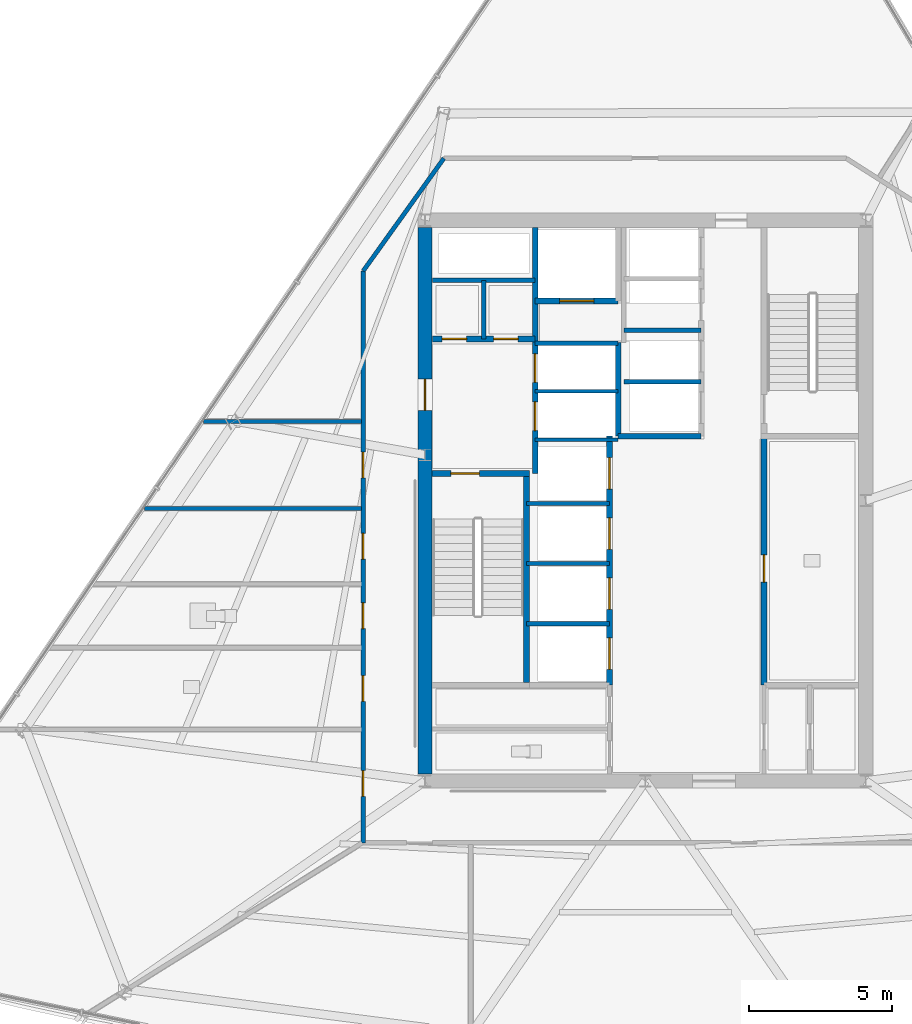
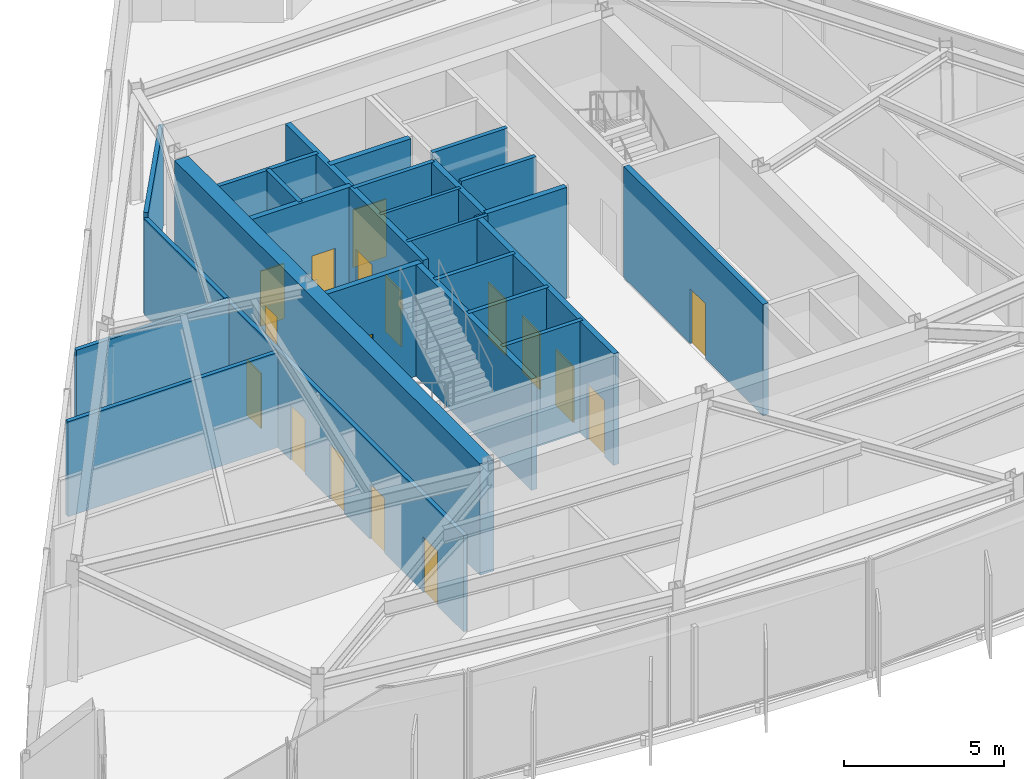
# One storey, part 7 of 14: 24 walls, 17 doors, 17 openings.
"""IFC4 building model written with IfcOpenShell, lengths in metres."""

from ifc_helpers import new_model, si_unit, direction, frame, frame_2d, origin, place, context, subcontext, project, spatial, rectangle, extrude, material, layer, layer_set, type_object, element, fill, save


model = new_model("IFC4")

# Units and contexts
model_context = context("Model", 3, precision=1e-05, world=origin(), true_north=direction((0.0, 1.0)))
body_context = subcontext(model_context, "Body", "Model", "MODEL_VIEW")
ifc_project = project(units=[si_unit("LENGTHUNIT", "METRE"), si_unit("AREAUNIT", "SQUARE_METRE"), si_unit("VOLUMEUNIT", "CUBIC_METRE"), si_unit("PLANEANGLEUNIT", "RADIAN"), si_unit("MASSUNIT", "GRAM", prefix="KILO")], contexts=[model_context])

# Site, building, storey
site_placement = place(None, origin())
site = spatial("IfcSite", under=ifc_project, at=site_placement, CompositionType="ELEMENT")
building_placement = place(site_placement, origin())
building = spatial("IfcBuilding", under=site, at=building_placement, Name="Savorim Split Tower", CompositionType="ELEMENT")
storey_placement = place(building_placement, frame((0.0, 0.0, 134.10009765625)))
storey = spatial("IfcBuildingStorey", under=building, at=storey_placement, Name="L35", CompositionType="ELEMENT", Elevation=134.10009765625)

# Wall, opening, door
ifc_material_1 = material(Name="Concrete C60/75", Category="concrete")
ifc_layer_1 = layer(ifc_material_1, 0.5)
ifc_layer_set_1 = layer_set([ifc_layer_1], Name="WAL-COR-SH500")
wall_type_1 = type_object("IfcWallType", Name="WAL-COR-SH500", PredefinedType="SHEAR", material=ifc_layer_set_1)
wall_1_placement = place(storey_placement, frame((-7.699951171875, -9.14990234375, 0.0), z_axis=(0.0, 0.0, 1.0), x_axis=(0.0, 1.0, 0.0)))
wall_1 = element("IfcWall", 1, at=wall_1_placement, inside=storey, type_object=wall_type_1, Name="L35 Offset Core West Shear Wall", PredefinedType="SHEAR", context=body_context, shape_type="SweptSolid", body=[
    extrude(rectangle(XDim=19.099853515625, YDim=0.5, at=frame_2d((9.5498046875, 0.0))), origin(), (0.0, 0.0, 1.0), 4.25),
])
opening_1_placement = place(wall_1_placement, frame((12.699951171875, 0.0, 0.0)))
opening_1 = element("IfcOpeningElement", 2, at=opening_1_placement, cuts=wall_1, Name="Opening DI-03", PredefinedType="OPENING", context=body_context, shape_type="SweptSolid", body=[
    extrude(rectangle(XDim=1.10009765625, YDim=2.14990234375, at=frame_2d((0.550048828125, 1.074951171875))), frame((0.0, 0.260009765625, 0.0), z_axis=(0.0, -1.0, 0.0), x_axis=(1.0, 0.0, 0.0)), (0.0, 0.0, 1.0), 0.52001953125),
])
ifc_material_2 = material(Name="Timber Fire Door Leaf", Category="wood")
door_type_1 = type_object("IfcDoorType", Name="DOR-FIR-1100", OperationType="NOTDEFINED", PredefinedType="DOOR", material=ifc_material_2)
door_1_placement = place(opening_1_placement, origin())
door_1 = element("IfcDoor", 3, at=door_1_placement, inside=storey, type_object=door_type_1, Name="DOR-L35-COR-FFLOB - L35 Firefighting Lobby Corridor Door", OperationType="SINGLE_SWING_LEFT", OverallHeight=2.14990234375, OverallWidth=1.10009765625, PredefinedType="DOOR", context=body_context, shape_type="SweptSolid", body=[
    extrude(rectangle(XDim=1.10009765625, YDim=2.14990234375, at=frame_2d((0.550048828125, 1.074951171875))), frame((0.0, 0.02490234375, 0.0), z_axis=(0.0, -1.0, 0.0), x_axis=(1.0, 0.0, 0.0)), (0.0, 0.0, 1.0), 0.050048828125),
])
fill(opening_1, door_1)

ifc_material_3 = material(Name="Concrete C50/60", Category="concrete")
ifc_layer_2 = layer(ifc_material_3, 0.199951171875)
ifc_layer_set_2 = layer_set([ifc_layer_2], Name="WAL-INT-RC200")
wall_type_2 = type_object("IfcWallType", Name="WAL-INT-RC200", PredefinedType="SOLIDWALL", material=ifc_layer_set_2)
wall_2_placement = place(storey_placement, frame((-7.449951171875, 1.35009765625, 0.0), z_axis=(0.0, 0.0, 1.0), x_axis=(1.0, 0.0, 0.0)))
wall_2 = element("IfcWall", 4, at=wall_2_placement, inside=storey, type_object=wall_type_2, Name="L35 Structural Shaft Wall W-L35-CR01", PredefinedType="SOLIDWALL", context=body_context, shape_type="SweptSolid", body=[
    extrude(rectangle(XDim=3.39990234375, YDim=0.199951171875, at=frame_2d((1.699951171875, 0.0))), origin(), (0.0, 0.0, 1.0), 4.25),
])
opening_2_placement = place(wall_2_placement, frame((0.64990234375, 0.0, 0.0)))
opening_2 = element("IfcOpeningElement", 5, at=opening_2_placement, cuts=wall_2, Name="Opening DI-04", PredefinedType="OPENING", context=body_context, shape_type="SweptSolid", body=[
    extrude(rectangle(XDim=1.0, YDim=2.14990234375, at=frame_2d((0.5, 1.074951171875))), frame((0.0, 0.10986328125, 0.0), z_axis=(0.0, -1.0, 0.0), x_axis=(1.0, 0.0, 0.0)), (0.0, 0.0, 1.0), 0.219970703125),
])
door_type_2 = type_object("IfcDoorType", Name="DOR-FIR-1000", OperationType="NOTDEFINED", PredefinedType="DOOR", material=ifc_material_2)
door_2_placement = place(opening_2_placement, origin())
door_2 = element("IfcDoor", 6, at=door_2_placement, inside=storey, type_object=door_type_2, Name="DR-L35-ST1 - L35 Stair ST-1 Enclosure Door", OperationType="SINGLE_SWING_LEFT", OverallHeight=2.14990234375, OverallWidth=1.0, PredefinedType="DOOR", context=body_context, shape_type="SweptSolid", body=[
    extrude(rectangle(XDim=1.0, YDim=2.14990234375, at=frame_2d((0.5, 1.074951171875))), frame((0.0, 0.02490234375, 0.0), z_axis=(0.0, -1.0, 0.0), x_axis=(1.0, 0.0, 0.0)), (0.0, 0.0, 1.0), 0.050048828125),
])
fill(opening_2, door_2)

# Wall
wall_3_placement = place(storey_placement, frame((-4.14990234375, -5.949951171875, 0.0), z_axis=(0.0, 0.0, 1.0), x_axis=(0.0, 1.0, 0.0)))
element("IfcWall", 7, at=wall_3_placement, inside=storey, type_object=wall_type_2, Name="L35 Structural Shaft Wall W-L35-CR02", PredefinedType="SOLIDWALL", context=body_context, shape_type="SweptSolid", body=[
    extrude(rectangle(XDim=7.199951171875, YDim=0.199951171875, at=frame_2d((3.60009765625, 0.0))), origin(), (0.0, 0.0, 1.0), 4.25),
])

# Wall, openings, doors
wall_4_placement = place(storey_placement, frame((-3.85009765625, 1.35009765625, 0.0), z_axis=(0.0, 0.0, 1.0), x_axis=(0.0, 1.0, 0.0)))
wall_4 = element("IfcWall", 8, at=wall_4_placement, inside=storey, type_object=wall_type_2, Name="L35 Partition W-L35-CR03", PredefinedType="SOLIDWALL", context=body_context, shape_type="SweptSolid", body=[
    extrude(rectangle(XDim=8.594970703125, YDim=0.199951171875, at=frame_2d((4.29736328125, 0.0))), origin(), (0.0, 0.0, 1.0), 4.25),
])
opening_3_placement = place(wall_4_placement, frame((1.5, 0.0, 0.0)))
opening_3 = element("IfcOpeningElement", 9, at=opening_3_placement, cuts=wall_4, Name="Opening LD-FFL", PredefinedType="OPENING", context=body_context, shape_type="SweptSolid", body=[
    extrude(rectangle(XDim=1.0, YDim=2.14990234375, at=frame_2d((0.5, 1.074951171875))), frame((0.0, 0.10986328125, 0.0), z_axis=(0.0, -1.0, 0.0), x_axis=(1.0, 0.0, 0.0)), (0.0, 0.0, 1.0), 0.219970703125),
])
opening_4_placement = place(wall_4_placement, frame((3.179931640625, 0.0, 0.0)))
opening_4 = element("IfcOpeningElement", 10, at=opening_4_placement, cuts=wall_4, Name="Opening LD-FFL", PredefinedType="OPENING", context=body_context, shape_type="SweptSolid", body=[
    extrude(rectangle(XDim=1.0, YDim=2.14990234375, at=frame_2d((0.5, 1.074951171875))), frame((0.0, 0.10986328125, 0.0), z_axis=(0.0, -1.0, 0.0), x_axis=(1.0, 0.0, 0.0)), (0.0, 0.0, 1.0), 0.219970703125),
])
ifc_material_4 = material(Name="Charcoal Anodised Aluminium", Category="aluminium")
door_type_3 = type_object("IfcDoorType", Name="DOR-SLD-LD1000", OperationType="NOTDEFINED", PredefinedType="DOOR", material=ifc_material_4)
door_3_placement = place(opening_3_placement, origin())
door_3 = element("IfcDoor", 11, at=door_3_placement, inside=storey, type_object=door_type_3, Name="DR-L35-LD-FFL1 - L35 Firefighting Lift FFL-1 Sliding Landing Door", OperationType="DOUBLE_DOOR_SLIDING", OverallHeight=2.14990234375, OverallWidth=1.0, PredefinedType="DOOR", context=body_context, shape_type="SweptSolid", body=[
    extrude(rectangle(XDim=1.0, YDim=2.14990234375, at=frame_2d((0.5, 1.074951171875))), frame((0.0, 0.02490234375, 0.0), z_axis=(0.0, -1.0, 0.0), x_axis=(1.0, 0.0, 0.0)), (0.0, 0.0, 1.0), 0.050048828125),
])
fill(opening_3, door_3)
door_4_placement = place(opening_4_placement, origin())
door_4 = element("IfcDoor", 12, at=door_4_placement, inside=storey, type_object=door_type_3, Name="DR-L35-LD-FFL2 - L35 Firefighting Lift FFL-2 Sliding Landing Door", OperationType="DOUBLE_DOOR_SLIDING", OverallHeight=2.14990234375, OverallWidth=1.0, PredefinedType="DOOR", context=body_context, shape_type="SweptSolid", body=[
    extrude(rectangle(XDim=1.0, YDim=2.14990234375, at=frame_2d((0.5, 1.074951171875))), frame((0.0, 0.02490234375, 0.0), z_axis=(0.0, -1.0, 0.0), x_axis=(1.0, 0.0, 0.0)), (0.0, 0.0, 1.0), 0.050048828125),
])
fill(opening_4, door_4)

wall_5_placement = place(storey_placement, frame((-7.445068359375, 6.050048828125, 0.0), z_axis=(0.0, 0.0, 1.0), x_axis=(1.0, 0.0, 0.0)))
wall_5 = element("IfcWall", 13, at=wall_5_placement, inside=storey, type_object=wall_type_2, Name="L35 Partition W-L35-CR04", PredefinedType="SOLIDWALL", context=body_context, shape_type="SweptSolid", body=[
    extrude(rectangle(XDim=3.594970703125, YDim=0.199951171875, at=frame_2d((1.79736328125, 0.0))), origin(), (0.0, 0.0, 1.0), 4.25),
])
opening_5_placement = place(wall_5_placement, frame((0.344970703125, 0.0, 0.0)))
opening_5 = element("IfcOpeningElement", 14, at=opening_5_placement, cuts=wall_5, Name="Opening DI-12", PredefinedType="OPENING", context=body_context, shape_type="SweptSolid", body=[
    extrude(rectangle(XDim=0.85009765625, YDim=2.10009765625, at=frame_2d((0.425048828125, 1.050048828125))), frame((0.0, 0.10986328125, 0.0), z_axis=(0.0, -1.0, 0.0), x_axis=(1.0, 0.0, 0.0)), (0.0, 0.0, 1.0), 0.219970703125),
])
opening_6_placement = place(wall_5_placement, frame((2.14501953125, 0.0, 0.0)))
opening_6 = element("IfcOpeningElement", 15, at=opening_6_placement, cuts=wall_5, Name="Opening DI-12", PredefinedType="OPENING", context=body_context, shape_type="SweptSolid", body=[
    extrude(rectangle(XDim=0.85009765625, YDim=2.10009765625, at=frame_2d((0.425048828125, 1.050048828125))), frame((0.0, 0.10986328125, 0.0), z_axis=(0.0, -1.0, 0.0), x_axis=(1.0, 0.0, 0.0)), (0.0, 0.0, 1.0), 0.219970703125),
])
ifc_material_5 = material(Name="Galvanised Painted Steel Balustrade", Category="steel")
door_type_4 = type_object("IfcDoorType", Name="DOR-RIS-850", OperationType="NOTDEFINED", PredefinedType="DOOR", material=ifc_material_5)
door_5_placement = place(opening_5_placement, origin())
door_5 = element("IfcDoor", 16, at=door_5_placement, inside=storey, type_object=door_type_4, Name="DR-L35-ELR - L35 Electrical Riser Access Door", OperationType="SINGLE_SWING_RIGHT", OverallHeight=2.10009765625, OverallWidth=0.85009765625, PredefinedType="DOOR", context=body_context, shape_type="SweptSolid", body=[
    extrude(rectangle(XDim=0.85009765625, YDim=2.10009765625, at=frame_2d((0.425048828125, 1.050048828125))), frame((0.0, 0.02490234375, 0.0), z_axis=(0.0, -1.0, 0.0), x_axis=(1.0, 0.0, 0.0)), (0.0, 0.0, 1.0), 0.050048828125),
])
fill(opening_5, door_5)
door_6_placement = place(opening_6_placement, origin())
door_6 = element("IfcDoor", 17, at=door_6_placement, inside=storey, type_object=door_type_4, Name="DR-L35-TLR - L35 Telecom Riser Access Door", OperationType="SINGLE_SWING_LEFT", OverallHeight=2.10009765625, OverallWidth=0.85009765625, PredefinedType="DOOR", context=body_context, shape_type="SweptSolid", body=[
    extrude(rectangle(XDim=0.85009765625, YDim=2.10009765625, at=frame_2d((0.425048828125, 1.050048828125))), frame((0.0, 0.02490234375, 0.0), z_axis=(0.0, -1.0, 0.0), x_axis=(1.0, 0.0, 0.0)), (0.0, 0.0, 1.0), 0.050048828125),
])
fill(opening_6, door_6)

# Wall
wall_6_placement = place(storey_placement, frame((-0.949951171875, 2.64990234375, 0.0), z_axis=(0.0, 0.0, 1.0), x_axis=(0.0, 1.0, 0.0)))
element("IfcWall", 18, at=wall_6_placement, inside=storey, type_object=wall_type_2, Name="L35 Partition W-L35-FFLW", PredefinedType="SOLIDWALL", context=body_context, shape_type="SweptSolid", body=[
    extrude(rectangle(XDim=3.27001953125, YDim=0.199951171875, at=frame_2d((1.635009765625, 0.0))), origin(), (0.0, 0.0, 1.0), 4.25),
])

# Wall, opening, door
wall_7_placement = place(storey_placement, frame((-3.85009765625, 7.3798828125, 0.0), z_axis=(0.0, 0.0, 1.0), x_axis=(1.0, 0.0, 0.0)))
wall_7 = element("IfcWall", 19, at=wall_7_placement, inside=storey, type_object=wall_type_2, Name="L35 Partition W-L35-SVLS", PredefinedType="SOLIDWALL", context=body_context, shape_type="SweptSolid", body=[
    extrude(rectangle(XDim=2.900146484375, YDim=0.199951171875, at=frame_2d((1.4501953125, 0.0))), origin(), (0.0, 0.0, 1.0), 4.25),
])
opening_7_placement = place(wall_7_placement, frame((0.85009765625, 0.0, 0.0)))
opening_7 = element("IfcOpeningElement", 20, at=opening_7_placement, cuts=wall_7, Name="Opening LD-SV", PredefinedType="OPENING", context=body_context, shape_type="SweptSolid", body=[
    extrude(rectangle(XDim=1.199951171875, YDim=2.199951171875, at=frame_2d((0.60009765625, 1.10009765625))), frame((0.0, 0.10986328125, 0.0), z_axis=(0.0, -1.0, 0.0), x_axis=(1.0, 0.0, 0.0)), (0.0, 0.0, 1.0), 0.219970703125),
])
door_type_5 = type_object("IfcDoorType", Name="DOR-SLD-SV1200", OperationType="NOTDEFINED", PredefinedType="DOOR", material=ifc_material_4)
door_7_placement = place(opening_7_placement, origin())
door_7 = element("IfcDoor", 21, at=door_7_placement, inside=storey, type_object=door_type_5, Name="DR-L35-LD-SVL1 - L35 Service Lift SVL-1 Sliding Landing Door", OperationType="DOUBLE_DOOR_SLIDING", OverallHeight=2.199951171875, OverallWidth=1.199951171875, PredefinedType="DOOR", context=body_context, shape_type="SweptSolid", body=[
    extrude(rectangle(XDim=1.199951171875, YDim=2.199951171875, at=frame_2d((0.60009765625, 1.10009765625))), frame((0.0, 0.02490234375, 0.0), z_axis=(0.0, -1.0, 0.0), x_axis=(1.0, 0.0, 0.0)), (0.0, 0.0, 1.0), 0.050048828125),
])
fill(opening_7, door_7)

wall_8_placement = place(storey_placement, frame((4.14990234375, -6.050048828125, 0.0), z_axis=(0.0, 0.0, 1.0), x_axis=(0.0, 1.0, 0.0)))
wall_8 = element("IfcWall", 22, at=wall_8_placement, inside=storey, type_object=wall_type_2, Name="L35 Partition W-L35-B1FRONT", PredefinedType="SOLIDWALL", context=body_context, shape_type="SweptSolid", body=[
    extrude(rectangle(XDim=8.699951171875, YDim=0.199951171875, at=frame_2d((4.35009765625, 0.0))), origin(), (0.0, 0.0, 1.0), 4.25),
])
opening_8_placement = place(wall_8_placement, frame((3.60009765625, 0.0, 0.0)))
opening_8 = element("IfcOpeningElement", 23, at=opening_8_placement, cuts=wall_8, Name="Opening DI-05", PredefinedType="OPENING", context=body_context, shape_type="SweptSolid", body=[
    extrude(rectangle(XDim=0.949951171875, YDim=2.10009765625, at=frame_2d((0.47509765625, 1.050048828125))), frame((0.0, 0.10986328125, 0.0), z_axis=(0.0, -1.0, 0.0), x_axis=(1.0, 0.0, 0.0)), (0.0, 0.0, 1.0), 0.219970703125),
])
door_type_6 = type_object("IfcDoorType", Name="DOR-FIR-950", OperationType="NOTDEFINED", PredefinedType="DOOR", material=ifc_material_2)
door_8_placement = place(opening_8_placement, origin())
door_8 = element("IfcDoor", 24, at=door_8_placement, inside=storey, type_object=door_type_6, Name="DR-L35-LV7B1 - L35 Community Laundry Room Door", OperationType="SINGLE_SWING_RIGHT", OverallHeight=2.10009765625, OverallWidth=0.949951171875, PredefinedType="DOOR", context=body_context, shape_type="SweptSolid", body=[
    extrude(rectangle(XDim=0.949951171875, YDim=2.10009765625, at=frame_2d((0.47509765625, 1.050048828125))), frame((0.0, 0.02490234375, 0.0), z_axis=(0.0, -1.0, 0.0), x_axis=(1.0, 0.0, 0.0)), (0.0, 0.0, 1.0), 0.050048828125),
])
fill(opening_8, door_8)

# Wall, openings, doors
wall_9_placement = place(storey_placement, frame((-1.25, -6.050048828125, 0.0), z_axis=(0.0, 0.0, 1.0), x_axis=(0.0, 1.0, 0.0)))
wall_9 = element("IfcWall", 25, at=wall_9_placement, inside=storey, type_object=wall_type_2, Name="L35 Partition W-L35-B2FRONT", PredefinedType="SOLIDWALL", context=body_context, shape_type="SweptSolid", body=[
    extrude(rectangle(XDim=8.699951171875, YDim=0.199951171875, at=frame_2d((4.35009765625, 0.0))), origin(), (0.0, 0.0, 1.0), 4.25),
])
opening_9_placement = place(wall_9_placement, frame((0.550048828125, 0.0, 0.0)))
opening_9 = element("IfcOpeningElement", 26, at=opening_9_placement, cuts=wall_9, Name="Opening LD-02", PredefinedType="OPENING", context=body_context, shape_type="SweptSolid", body=[
    extrude(rectangle(XDim=1.10009765625, YDim=2.14990234375, at=frame_2d((0.550048828125, 1.074951171875))), frame((0.0, 0.10986328125, 0.0), z_axis=(0.0, -1.0, 0.0), x_axis=(1.0, 0.0, 0.0)), (0.0, 0.0, 1.0), 0.219970703125),
])
opening_10_placement = place(wall_9_placement, frame((2.64990234375, 0.0, 0.0)))
opening_10 = element("IfcOpeningElement", 27, at=opening_10_placement, cuts=wall_9, Name="Opening LD-02", PredefinedType="OPENING", context=body_context, shape_type="SweptSolid", body=[
    extrude(rectangle(XDim=1.10009765625, YDim=2.14990234375, at=frame_2d((0.550048828125, 1.074951171875))), frame((0.0, 0.10986328125, 0.0), z_axis=(0.0, -1.0, 0.0), x_axis=(1.0, 0.0, 0.0)), (0.0, 0.0, 1.0), 0.219970703125),
])
opening_11_placement = place(wall_9_placement, frame((4.75, 0.0, 0.0)))
opening_11 = element("IfcOpeningElement", 28, at=opening_11_placement, cuts=wall_9, Name="Opening LD-02", PredefinedType="OPENING", context=body_context, shape_type="SweptSolid", body=[
    extrude(rectangle(XDim=1.10009765625, YDim=2.14990234375, at=frame_2d((0.550048828125, 1.074951171875))), frame((0.0, 0.10986328125, 0.0), z_axis=(0.0, -1.0, 0.0), x_axis=(1.0, 0.0, 0.0)), (0.0, 0.0, 1.0), 0.219970703125),
])
opening_12_placement = place(wall_9_placement, frame((6.85009765625, 0.0, 0.0)))
opening_12 = element("IfcOpeningElement", 29, at=opening_12_placement, cuts=wall_9, Name="Opening LD-02", PredefinedType="OPENING", context=body_context, shape_type="SweptSolid", body=[
    extrude(rectangle(XDim=1.10009765625, YDim=2.14990234375, at=frame_2d((0.550048828125, 1.074951171875))), frame((0.0, 0.10986328125, 0.0), z_axis=(0.0, -1.0, 0.0), x_axis=(1.0, 0.0, 0.0)), (0.0, 0.0, 1.0), 0.219970703125),
])
door_type_7 = type_object("IfcDoorType", Name="DOR-SLD-LDM1100", OperationType="NOTDEFINED", PredefinedType="DOOR", material=ifc_material_4)
door_9_placement = place(opening_9_placement, origin())
door_9 = element("IfcDoor", 30, at=door_9_placement, inside=storey, type_object=door_type_7, Name="DR-L35-LD-PLM1 - L35 Lift PL-M1 Sliding Landing Door", OperationType="DOUBLE_DOOR_SLIDING", OverallHeight=2.14990234375, OverallWidth=1.10009765625, PredefinedType="DOOR", context=body_context, shape_type="SweptSolid", body=[
    extrude(rectangle(XDim=1.10009765625, YDim=2.14990234375, at=frame_2d((0.550048828125, 1.074951171875))), frame((0.0, 0.02490234375, 0.0), z_axis=(0.0, -1.0, 0.0), x_axis=(1.0, 0.0, 0.0)), (0.0, 0.0, 1.0), 0.050048828125),
])
fill(opening_9, door_9)
door_10_placement = place(opening_10_placement, origin())
door_10 = element("IfcDoor", 31, at=door_10_placement, inside=storey, type_object=door_type_7, Name="DR-L35-LD-PLM2 - L35 Lift PL-M2 Sliding Landing Door", OperationType="DOUBLE_DOOR_SLIDING", OverallHeight=2.14990234375, OverallWidth=1.10009765625, PredefinedType="DOOR", context=body_context, shape_type="SweptSolid", body=[
    extrude(rectangle(XDim=1.10009765625, YDim=2.14990234375, at=frame_2d((0.550048828125, 1.074951171875))), frame((0.0, 0.02490234375, 0.0), z_axis=(0.0, -1.0, 0.0), x_axis=(1.0, 0.0, 0.0)), (0.0, 0.0, 1.0), 0.050048828125),
])
fill(opening_10, door_10)
door_11_placement = place(opening_11_placement, origin())
door_11 = element("IfcDoor", 32, at=door_11_placement, inside=storey, type_object=door_type_7, Name="DR-L35-LD-PLM3 - L35 Lift PL-M3 Sliding Landing Door", OperationType="DOUBLE_DOOR_SLIDING", OverallHeight=2.14990234375, OverallWidth=1.10009765625, PredefinedType="DOOR", context=body_context, shape_type="SweptSolid", body=[
    extrude(rectangle(XDim=1.10009765625, YDim=2.14990234375, at=frame_2d((0.550048828125, 1.074951171875))), frame((0.0, 0.02490234375, 0.0), z_axis=(0.0, -1.0, 0.0), x_axis=(1.0, 0.0, 0.0)), (0.0, 0.0, 1.0), 0.050048828125),
])
fill(opening_11, door_11)
door_12_placement = place(opening_12_placement, origin())
door_12 = element("IfcDoor", 33, at=door_12_placement, inside=storey, type_object=door_type_7, Name="DR-L35-LD-PLM4 - L35 Lift PL-M4 Sliding Landing Door", OperationType="DOUBLE_DOOR_SLIDING", OverallHeight=2.14990234375, OverallWidth=1.10009765625, PredefinedType="DOOR", context=body_context, shape_type="SweptSolid", body=[
    extrude(rectangle(XDim=1.10009765625, YDim=2.14990234375, at=frame_2d((0.550048828125, 1.074951171875))), frame((0.0, 0.02490234375, 0.0), z_axis=(0.0, -1.0, 0.0), x_axis=(1.0, 0.0, 0.0)), (0.0, 0.0, 1.0), 0.050048828125),
])
fill(opening_12, door_12)

# Walls
wall_10_placement = place(storey_placement, frame((-0.949951171875, 2.64990234375, 0.0), z_axis=(0.0, 0.0, 1.0), x_axis=(1.0, 0.0, 0.0)))
element("IfcWall", 34, at=wall_10_placement, inside=storey, type_object=wall_type_2, Name="L35 Partition W-L35-B3SOUTH", PredefinedType="SOLIDWALL", context=body_context, shape_type="SweptSolid", body=[
    extrude(rectangle(XDim=2.89990234375, YDim=0.199951171875, at=frame_2d((1.449951171875, 0.0))), origin(), (0.0, 0.0, 1.0), 4.25),
])
ifc_material_6 = material(Name="Acoustic Gypsum Partition Board")
ifc_layer_3 = layer(ifc_material_6, 0.1201171875)
ifc_layer_set_3 = layer_set([ifc_layer_3], Name="WAL-PAR-120")
wall_type_3 = type_object("IfcWallType", Name="WAL-PAR-120", PredefinedType="PARTITIONING", material=ifc_layer_set_3)
for number, where, z_axis, x_axis, name in (
    (35, (-3.85009765625, 2.52001953125, 0.0), (0.0, 0.0, 1.0), (1.0, 0.0, 0.0), "L35 Partition W-L35-FFLD0"),
    (36, (-3.85009765625, 4.219970703125, 0.0), (0.0, 0.0, 1.0), (1.0, 0.0, 0.0), "L35 Partition W-L35-FFLD1"),
):
    element("IfcWall", number, at=place(storey_placement, frame(where, z_axis=z_axis, x_axis=x_axis)), inside=storey, type_object=wall_type_3, Name=name, PredefinedType="PARTITIONING", context=body_context, shape_type="SweptSolid", body=[
        extrude(rectangle(XDim=2.900146484375, YDim=0.1201171875, at=frame_2d((1.4501953125, 0.0))), origin(), (0.0, 0.0, 1.0), 4.25),
    ])
ifc_layer_4 = layer(ifc_material_6, 0.14990234375)
ifc_layer_set_4 = layer_set([ifc_layer_4], Name="WAL-PAR-150")
wall_type_4 = type_object("IfcWallType", Name="WAL-PAR-150", PredefinedType="PARTITIONING", material=ifc_layer_set_4)
wall_11_placement = place(storey_placement, frame((-7.445068359375, 8.10009765625, 0.0), z_axis=(0.0, 0.0, 1.0), x_axis=(1.0, 0.0, 0.0)))
element("IfcWall", 37, at=wall_11_placement, inside=storey, type_object=wall_type_4, Name="L35 Partition W-L35-CR05", PredefinedType="PARTITIONING", context=body_context, shape_type="SweptSolid", body=[
    extrude(rectangle(XDim=3.594970703125, YDim=0.14990234375, at=frame_2d((1.79736328125, 0.0))), origin(), (0.0, 0.0, 1.0), 4.25),
])
wall_12_placement = place(storey_placement, frame((-5.64990234375, 6.050048828125, 0.0), z_axis=(0.0, 0.0, 1.0), x_axis=(0.0, 1.0, 0.0)))
element("IfcWall", 38, at=wall_12_placement, inside=storey, type_object=wall_type_4, Name="L35 Partition W-L35-CR06", PredefinedType="PARTITIONING", context=body_context, shape_type="SweptSolid", body=[
    extrude(rectangle(XDim=2.050048828125, YDim=0.14990234375, at=frame_2d((1.02490234375, 0.0))), origin(), (0.0, 0.0, 1.0), 4.25),
])
wall_13_placement = place(storey_placement, frame((-3.85009765625, 5.89990234375, 0.0), z_axis=(0.0, 0.0, 1.0), x_axis=(1.0, 0.0, 0.0)))
element("IfcWall", 39, at=wall_13_placement, inside=storey, type_object=wall_type_4, Name="L35 Partition W-L35-FFLD2", PredefinedType="PARTITIONING", context=body_context, shape_type="SweptSolid", body=[
    extrude(rectangle(XDim=2.900146484375, YDim=0.14990234375, at=frame_2d((1.4501953125, 0.0))), origin(), (0.0, 0.0, 1.0), 4.25),
])
for number, where, z_axis, x_axis, name in (
    (40, (-4.14990234375, -3.89990234375, 0.0), (0.0, 0.0, 1.0), (1.0, 0.0, 0.0), "L35 Partition W-L35-B2DIV1"),
    (41, (-4.14990234375, -1.800048828125, 0.0), (0.0, 0.0, 1.0), (1.0, 0.0, 0.0), "L35 Partition W-L35-B2DIV2"),
    (42, (-4.14990234375, 0.300048828125, 0.0), (0.0, 0.0, 1.0), (1.0, 0.0, 0.0), "L35 Partition W-L35-B2DIV3"),
):
    element("IfcWall", number, at=place(storey_placement, frame(where, z_axis=z_axis, x_axis=x_axis)), inside=storey, type_object=wall_type_4, Name=name, PredefinedType="PARTITIONING", context=body_context, shape_type="SweptSolid", body=[
        extrude(rectangle(XDim=2.89990234375, YDim=0.14990234375, at=frame_2d((1.449951171875, 0.0))), origin(), (0.0, 0.0, 1.0), 4.25),
    ])
for number, where, z_axis, x_axis, name in (
    (43, (-0.75, 4.550048828125, 0.0), (0.0, 0.0, 1.0), (1.0, 0.0, 0.0), "L35 Partition W-L35-B3DIV1"),
    (44, (-0.75, 6.35009765625, 0.0), (0.0, 0.0, 1.0), (1.0, 0.0, 0.0), "L35 Partition W-L35-B3DIV2"),
):
    element("IfcWall", number, at=place(storey_placement, frame(where, z_axis=z_axis, x_axis=x_axis)), inside=storey, type_object=wall_type_4, Name=name, PredefinedType="PARTITIONING", context=body_context, shape_type="SweptSolid", body=[
        extrude(rectangle(XDim=2.699951171875, YDim=0.14990234375, at=frame_2d((1.35009765625, 0.0))), origin(), (0.0, 0.0, 1.0), 4.25),
    ])

# Wall, openings, doors
wall_14_placement = place(storey_placement, frame((-9.860107421875, -11.56005859375, 0.0), z_axis=(0.0, 0.0, 1.0), x_axis=(0.0, 1.0, 0.0)))
wall_14 = element("IfcWall", 45, at=wall_14_placement, inside=storey, type_object=wall_type_4, Name="L35 Partition W-L35-COR-01", PredefinedType="PARTITIONING", context=body_context, shape_type="SweptSolid", body=[
    extrude(rectangle(XDim=19.98583984375, YDim=0.14990234375, at=frame_2d((9.992919921875, 0.0))), origin(), (0.0, 0.0, 1.0), 3.6748046875),
])
opening_13_placement = place(wall_14_placement, frame((9.914794921875, 0.0, 0.0)))
opening_13 = element("IfcOpeningElement", 46, at=opening_13_placement, cuts=wall_14, Name="Opening DI-06", PredefinedType="OPENING", context=body_context, shape_type="SweptSolid", body=[
    extrude(rectangle(XDim=0.89990234375, YDim=2.10009765625, at=frame_2d((0.449951171875, 1.050048828125))), frame((0.0, 0.0849609375, 0.0), z_axis=(0.0, -1.0, 0.0), x_axis=(1.0, 0.0, 0.0)), (0.0, 0.0, 1.0), 0.169921875),
])
opening_14_placement = place(wall_14_placement, frame((7.483642578125, 0.0, 0.0)))
opening_14 = element("IfcOpeningElement", 47, at=opening_14_placement, cuts=wall_14, Name="Opening DI-11", PredefinedType="OPENING", context=body_context, shape_type="SweptSolid", body=[
    extrude(rectangle(XDim=0.89990234375, YDim=2.10009765625, at=frame_2d((0.449951171875, 1.050048828125))), frame((0.0, 0.0849609375, 0.0), z_axis=(0.0, -1.0, 0.0), x_axis=(1.0, 0.0, 0.0)), (0.0, 0.0, 1.0), 0.169921875),
])
opening_15_placement = place(wall_14_placement, frame((4.9423828125, 0.0, 0.0)))
opening_15 = element("IfcOpeningElement", 48, at=opening_15_placement, cuts=wall_14, Name="Opening DI-06", PredefinedType="OPENING", context=body_context, shape_type="SweptSolid", body=[
    extrude(rectangle(XDim=0.89990234375, YDim=2.10009765625, at=frame_2d((0.449951171875, 1.050048828125))), frame((0.0, 0.0849609375, 0.0), z_axis=(0.0, -1.0, 0.0), x_axis=(1.0, 0.0, 0.0)), (0.0, 0.0, 1.0), 0.169921875),
])
opening_16_placement = place(wall_14_placement, frame((1.6201171875, 0.0, 0.0)))
opening_16 = element("IfcOpeningElement", 49, at=opening_16_placement, cuts=wall_14, Name="Opening DI-06", PredefinedType="OPENING", context=body_context, shape_type="SweptSolid", body=[
    extrude(rectangle(XDim=0.89990234375, YDim=2.10009765625, at=frame_2d((0.449951171875, 1.050048828125))), frame((0.0, 0.0849609375, 0.0), z_axis=(0.0, -1.0, 0.0), x_axis=(1.0, 0.0, 0.0)), (0.0, 0.0, 1.0), 0.169921875),
])
opening_17_placement = place(wall_14_placement, frame((12.756103515625, 0.0, 0.0)))
opening_17 = element("IfcOpeningElement", 50, at=opening_17_placement, cuts=wall_14, Name="Opening DI-06", PredefinedType="OPENING", context=body_context, shape_type="SweptSolid", body=[
    extrude(rectangle(XDim=0.89990234375, YDim=2.10009765625, at=frame_2d((0.449951171875, 1.050048828125))), frame((0.0, 0.0849609375, 0.0), z_axis=(0.0, -1.0, 0.0), x_axis=(1.0, 0.0, 0.0)), (0.0, 0.0, 1.0), 0.169921875),
])
door_type_8 = type_object("IfcDoorType", Name="DOR-FIR-900", OperationType="NOTDEFINED", PredefinedType="DOOR", material=ifc_material_2)
door_13_placement = place(opening_13_placement, origin())
door_13 = element("IfcDoor", 51, at=door_13_placement, inside=storey, type_object=door_type_8, Name="DR-L35-RM01 - L35 Sky Lobby Entry Door", OperationType="SINGLE_SWING_RIGHT", OverallHeight=2.10009765625, OverallWidth=0.89990234375, PredefinedType="DOOR", context=body_context, shape_type="SweptSolid", body=[
    extrude(rectangle(XDim=0.89990234375, YDim=2.10009765625, at=frame_2d((0.449951171875, 1.050048828125))), frame((0.0, 0.02490234375, 0.0), z_axis=(0.0, -1.0, 0.0), x_axis=(1.0, 0.0, 0.0)), (0.0, 0.0, 1.0), 0.050048828125),
])
fill(opening_13, door_13)
door_14_placement = place(opening_15_placement, origin())
door_14 = element("IfcDoor", 52, at=door_14_placement, inside=storey, type_object=door_type_8, Name="DR-L35-RM03 - L35 Communal Kitchen Entry Door", OperationType="SINGLE_SWING_RIGHT", OverallHeight=2.10009765625, OverallWidth=0.89990234375, PredefinedType="DOOR", context=body_context, shape_type="SweptSolid", body=[
    extrude(rectangle(XDim=0.89990234375, YDim=2.10009765625, at=frame_2d((0.449951171875, 1.050048828125))), frame((0.0, 0.02490234375, 0.0), z_axis=(0.0, -1.0, 0.0), x_axis=(1.0, 0.0, 0.0)), (0.0, 0.0, 1.0), 0.050048828125),
])
fill(opening_15, door_14)
door_15_placement = place(opening_16_placement, origin())
door_15 = element("IfcDoor", 53, at=door_15_placement, inside=storey, type_object=door_type_8, Name="DR-L35-RM04 - L35 Co-Working Commons Entry Door", OperationType="SINGLE_SWING_LEFT", OverallHeight=2.10009765625, OverallWidth=0.89990234375, PredefinedType="DOOR", context=body_context, shape_type="SweptSolid", body=[
    extrude(rectangle(XDim=0.89990234375, YDim=2.10009765625, at=frame_2d((0.449951171875, 1.050048828125))), frame((0.0, 0.02490234375, 0.0), z_axis=(0.0, -1.0, 0.0), x_axis=(1.0, 0.0, 0.0)), (0.0, 0.0, 1.0), 0.050048828125),
])
fill(opening_16, door_15)
door_16_placement = place(opening_17_placement, origin())
door_16 = element("IfcDoor", 54, at=door_16_placement, inside=storey, type_object=door_type_8, Name="DR-L35-RM13 - L35 Co-Working Commons Entry Door", OperationType="SINGLE_SWING_RIGHT", OverallHeight=2.10009765625, OverallWidth=0.89990234375, PredefinedType="DOOR", context=body_context, shape_type="SweptSolid", body=[
    extrude(rectangle(XDim=0.89990234375, YDim=2.10009765625, at=frame_2d((0.449951171875, 1.050048828125))), frame((0.0, 0.02490234375, 0.0), z_axis=(0.0, -1.0, 0.0), x_axis=(1.0, 0.0, 0.0)), (0.0, 0.0, 1.0), 0.050048828125),
])
fill(opening_17, door_16)
ifc_material_7 = material(Name="Oak Veneer Acoustic Door")
door_type_9 = type_object("IfcDoorType", Name="DOR-WC-900", OperationType="NOTDEFINED", PredefinedType="DOOR", material=ifc_material_7)
door_17_placement = place(opening_14_placement, origin())
door_17 = element("IfcDoor", 55, at=door_17_placement, inside=storey, type_object=door_type_9, Name="DR-L35-RM02 - L35 Shared Bathroom Entry Door", OperationType="SINGLE_SWING_LEFT", OverallHeight=2.10009765625, OverallWidth=0.89990234375, PredefinedType="DOOR", context=body_context, shape_type="SweptSolid", body=[
    extrude(rectangle(XDim=0.89990234375, YDim=2.10009765625, at=frame_2d((0.449951171875, 1.050048828125))), frame((0.0, 0.02490234375, 0.0), z_axis=(0.0, -1.0, 0.0), x_axis=(1.0, 0.0, 0.0)), (0.0, 0.0, 1.0), 0.050048828125),
])
fill(opening_14, door_17)

# Walls
wall_15_placement = place(storey_placement, frame((-9.860107421875, 8.42578125, 0.0), z_axis=(0.0, 0.0, 1.0), x_axis=(0.582449511476, 0.812866881218, 0.0)))
element("IfcWall", 56, at=wall_15_placement, inside=storey, type_object=wall_type_4, Name="L35 Partition W-L35-COR-02", PredefinedType="PARTITIONING", context=body_context, shape_type="SweptSolid", body=[
    extrude(rectangle(XDim=4.840087890625, YDim=0.14990234375, at=frame_2d((2.419921875, 0.0))), origin(), (0.0, 0.0, 1.0), 3.864990234375),
])
wall_16_placement = place(storey_placement, frame((-9.919921875, 3.166748046875, 0.0), z_axis=(0.0, 0.0, 1.0), x_axis=(-1.0, 0.0, 0.0)))
element("IfcWall", 57, at=wall_16_placement, inside=storey, type_object=wall_type_4, Name="L35 Partition W-L35-SLR09", PredefinedType="PARTITIONING", context=body_context, shape_type="SweptSolid", body=[
    extrude(rectangle(XDim=5.514404296875, YDim=0.14990234375, at=frame_2d((2.75732421875, 0.0))), origin(), (0.0, 0.0, 1.0), 3.784912109375),
])
wall_17_placement = place(storey_placement, frame((-9.919921875, 0.12548828125, 0.0), z_axis=(0.0, 0.0, 1.0), x_axis=(-1.0, 0.0, 0.0)))
element("IfcWall", 58, at=wall_17_placement, inside=storey, type_object=wall_type_4, Name="L35 Partition W-L35-SLSUB03", PredefinedType="PARTITIONING", context=body_context, shape_type="SweptSolid", body=[
    extrude(rectangle(XDim=7.58349609375, YDim=0.14990234375, at=frame_2d((3.791748046875, 0.0))), origin(), (0.0, 0.0, 1.0), 3.625),
])

save(model, "model.ifc")
